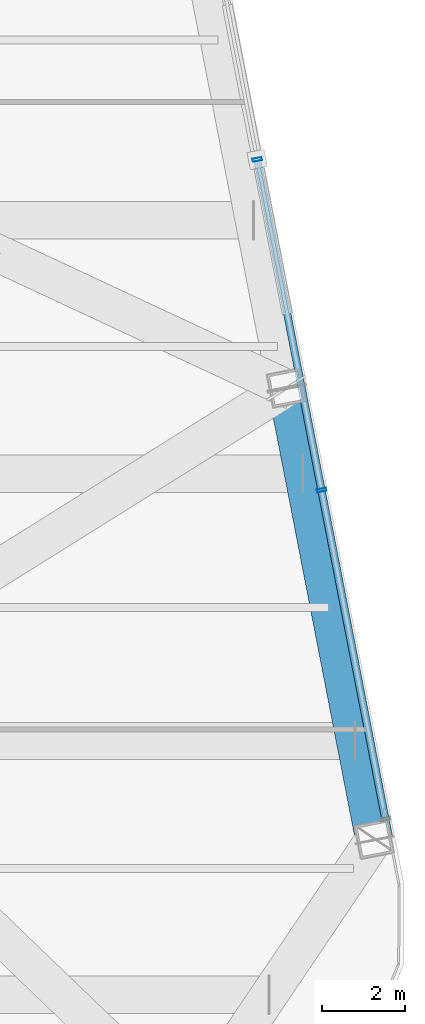
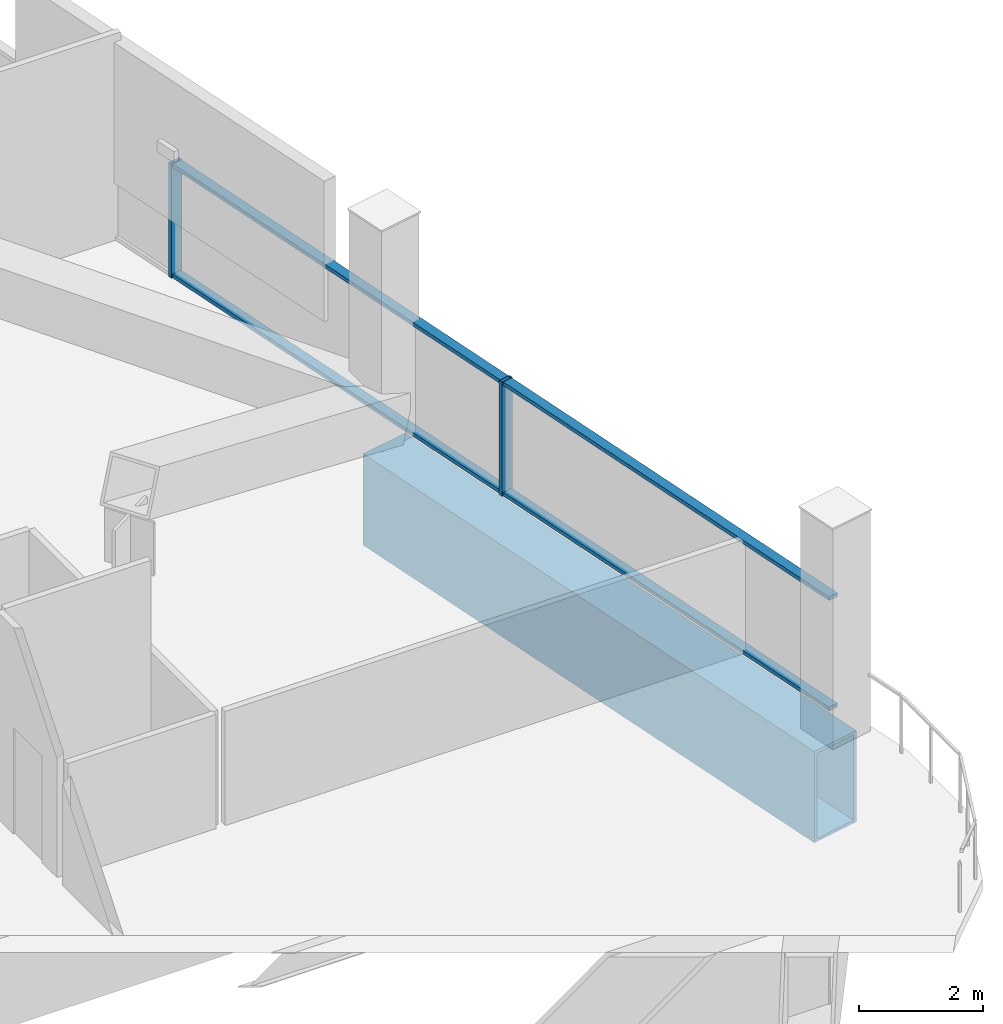
# One storey, part 10 of 26: 6 members, 1 beam, 1 element without a shape of its own.
"""IFC4 building model written with IfcOpenShell, lengths in metres."""

import ifcopenshell
import ifcopenshell.guid

model = None  # the IFC model being written
_history = None  # IfcOwnerHistory: only IFC2X3 demands one
_inside = {}  # id of a spatial element -> (the spatial element, [elements in it])
_under = {}  # id of a project, library or spatial element -> (it, [spatial elements below it])
_declared = {}  # id of a project -> (the project, [libraries it declares])
_typed = {}  # id of a type object -> (the type object, [elements of that type])
_made_of = {}  # id of a material, layer set ... -> (it, [elements and type objects made of it])


def new_model(schema):
    """Start an empty IFC model of exactly this schema.

    Asked for "IFC4X3", IfcOpenShell would pick the latest addendum, in which some entities
    have other attributes; the version numbers below select the first issue.
    IFC2X3 requires an IfcOwnerHistory on every rooted entity: one is made here for all.
    """
    global model, _history
    if schema == "IFC4X3":
        model = ifcopenshell.file(schema_version=(4, 3, 0, 0))
    else:
        model = ifcopenshell.file(schema=schema)
    _inside.clear()
    _under.clear()
    _declared.clear()
    _typed.clear()
    _made_of.clear()
    _history = None
    if model.schema == "IFC2X3":
        org = make("IfcOrganization", Name="unknown")
        user = make(
            "IfcPersonAndOrganization",
            ThePerson=make("IfcPerson", FamilyName="unknown"),
            TheOrganization=org,
        )
        app = make(
            "IfcApplication",
            ApplicationDeveloper=org,
            Version="unknown",
            ApplicationFullName="unknown",
            ApplicationIdentifier="unknown",
        )
        _history = make(
            "IfcOwnerHistory",
            OwningUser=user,
            OwningApplication=app,
            ChangeAction="ADDED",
            CreationDate=0,
        )
    return model


def make(cls, **values):
    """One entity of the class cls with the attributes given. An attribute that is None is left unset."""
    return model.create_entity(
        cls, **{name: value for name, value in values.items() if value is not None}
    )


def rooted(cls, **values):
    """An entity with a GlobalId (a new one), such as an element, a storey or a relation."""
    return make(cls, GlobalId=ifcopenshell.guid.new(), OwnerHistory=_history, **values)


def si_unit(unit_type, name, prefix=None):
    """IfcSIUnit, for example si_unit("LENGTHUNIT", "METRE", prefix="MILLI")."""
    return make("IfcSIUnit", UnitType=unit_type, Prefix=prefix, Name=name)


def assignment(units):
    """IfcUnitAssignment: the units of a project."""
    return None if units is None else make("IfcUnitAssignment", Units=units)


def point(xyz):
    """IfcCartesianPoint."""
    return None if xyz is None else make("IfcCartesianPoint", Coordinates=xyz)


def direction(xyz):
    """IfcDirection."""
    return None if xyz is None else make("IfcDirection", DirectionRatios=xyz)


def frame(location, z_axis=None, x_axis=None):
    """IfcAxis2Placement3D, a coordinate frame: its origin and axes. An axis left out is left unset."""
    return make(
        "IfcAxis2Placement3D",
        Location=point(location),
        Axis=direction(z_axis),
        RefDirection=direction(x_axis),
    )


def frame_2d(location, x_axis=None):
    """IfcAxis2Placement2D, a coordinate frame in the plane: its origin and x axis."""
    return make(
        "IfcAxis2Placement2D", Location=point(location), RefDirection=direction(x_axis)
    )


def origin():
    """The frame at (0, 0, 0) with its axes left unset."""
    return frame((0.0, 0.0, 0.0))


def origin_2d():
    """The frame at (0, 0) in the plane with its x axis left unset."""
    return frame_2d((0.0, 0.0))


def place(relative_to, where):
    """IfcLocalPlacement: puts the frame where relative to a parent placement (None: the world)."""
    return make(
        "IfcLocalPlacement", PlacementRelTo=relative_to, RelativePlacement=where
    )


def context(
    kind, dimensions, precision=None, world=None, true_north=None, identifier=None
):
    """IfcGeometricRepresentationContext, for example the 3D "Model" context."""
    return make(
        "IfcGeometricRepresentationContext",
        ContextIdentifier=identifier,
        ContextType=kind,
        CoordinateSpaceDimension=dimensions,
        Precision=precision,
        WorldCoordinateSystem=world,
        TrueNorth=true_north,
    )


def subcontext(parent, identifier, kind, view, scale=None):
    """IfcGeometricRepresentationSubContext, for example "Body" below "Model"."""
    return make(
        "IfcGeometricRepresentationSubContext",
        ContextIdentifier=identifier,
        ContextType=kind,
        ParentContext=parent,
        TargetScale=scale,
        TargetView=view,
    )


def project(units=None, contexts=None):
    """IfcProject with its units and contexts."""
    return rooted(
        "IfcProject",
        Name="project",
        RepresentationContexts=contexts,
        UnitsInContext=assignment(units),
    )


def spatial(cls, under=None, at=None, **own):
    """A site, building, storey or space (cls), placed at a placement, below another one or the project."""
    s = rooted(cls, ObjectPlacement=at, **own)
    if under is not None:
        _under.setdefault(under.id(), (under, []))[1].append(s)
    return s


def profile(cls, at=None, kind="AREA", **sizes):
    """A parametric profile (cls). Its sizes go by their IFC names, for example OverallWidth=200.0."""
    return make(cls, ProfileType=kind, Position=at, **sizes)


def hollow_rectangle(**sizes):
    """IfcRectangleHollowProfileDef."""
    return profile("IfcRectangleHollowProfileDef", **sizes)


def extrude(swept, where, along, depth):
    """IfcExtrudedAreaSolid: the profile swept, set in the frame where, extruded along a direction by depth."""
    return make(
        "IfcExtrudedAreaSolid",
        SweptArea=swept,
        Position=where,
        ExtrudedDirection=direction(along),
        Depth=depth,
    )


def shape(context_of_items, identifier, shape_type, items):
    """IfcShapeRepresentation: the items that make up one representation, for example the "Body"."""
    return make(
        "IfcShapeRepresentation",
        ContextOfItems=context_of_items,
        RepresentationIdentifier=identifier,
        RepresentationType=shape_type,
        Items=items,
    )


def material(Name=None, Category=None):
    """IfcMaterial."""
    return make("IfcMaterial", Name=Name, Category=Category)


def layer(
    of_material, thickness, ventilated=None, Name=None, Category=None, Priority=None
):
    """IfcMaterialLayer: one layer of a wall or slab, of a material (None: an air gap)."""
    return make(
        "IfcMaterialLayer",
        Material=of_material,
        LayerThickness=thickness,
        IsVentilated=ventilated,
        Name=Name,
        Category=Category,
        Priority=Priority,
    )


def layer_set(layers, Name=None):
    """IfcMaterialLayerSet."""
    return make("IfcMaterialLayerSet", MaterialLayers=layers, LayerSetName=Name)


def material_profile(
    of_material, cross_section, Name=None, Category=None, Priority=None
):
    """IfcMaterialProfile: a cross section and its material."""
    return make(
        "IfcMaterialProfile",
        Name=Name,
        Material=of_material,
        Profile=cross_section,
        Priority=Priority,
        Category=Category,
    )


def profile_set(profiles, Name=None, composite=None):
    """IfcMaterialProfileSet."""
    return make(
        "IfcMaterialProfileSet",
        Name=Name,
        MaterialProfiles=profiles,
        CompositeProfile=composite,
    )


def made_of(thing, what):
    """Note that an element or type object is made of a material, layer set ...; save() writes the relation."""
    if what is not None:
        _made_of.setdefault(what.id(), (what, []))[1].append(thing)
    return thing


def type_object(cls, material=None, **own):
    """A type object (cls), such as IfcWallType, which elements share."""
    return made_of(rooted(cls, **own), material)


def element(
    cls,
    number,
    at=None,
    inside=None,
    cuts=None,
    type_object=None,
    material=None,
    context=None,
    identifier="Body",
    shape_type=None,
    held_by="IfcProductDefinitionShape",
    body=None,
    shapes=None,
    **own,
):
    """One element of the class cls, such as IfcWall. Its Tag is "e" and its number.

    at: its placement. inside: the storey or other place that contains it. cuts: it is an
    opening in that element (IfcRelVoidsElement). A single representation is given by context,
    identifier, shape_type and body (its items); several are given by shapes. held_by: the class
    of the entity that holds the representations. save() writes the other relations.
    """
    e = rooted(cls, Tag="e%d" % number, ObjectPlacement=at, **own)
    if body is not None:
        shapes = [shape(context, identifier, shape_type, body)]
    if shapes is not None:
        e.Representation = make(held_by, Representations=shapes)
    if inside is not None:
        _inside.setdefault(inside.id(), (inside, []))[1].append(e)
    if cuts is not None:
        rooted(
            "IfcRelVoidsElement", RelatingBuildingElement=cuts, RelatedOpeningElement=e
        )
    if type_object is not None:
        _typed.setdefault(type_object.id(), (type_object, []))[1].append(e)
    return made_of(e, material)


def aggregate(whole, parts):
    """IfcRelAggregates: a whole, such as a stair, and the parts it consists of."""
    return rooted("IfcRelAggregates", RelatingObject=whole, RelatedObjects=parts)


def save(model, path):
    """Write the relations noted so far, then the file.

    IfcRelAggregates (storeys below a building ...), IfcRelContainedInSpatialStructure (elements
    in a storey), IfcRelDefinesByType, IfcRelAssociatesMaterial and IfcRelDeclares: one each for
    every whole, place, type object, material and project.
    """
    for whole, parts in _under.values():
        aggregate(whole, parts)
    for where, things in _inside.values():
        rooted(
            "IfcRelContainedInSpatialStructure",
            RelatedElements=things,
            RelatingStructure=where,
        )
    for kind, things in _typed.values():
        rooted("IfcRelDefinesByType", RelatedObjects=things, RelatingType=kind)
    for what, things in _made_of.values():
        rooted("IfcRelAssociatesMaterial", RelatedObjects=things, RelatingMaterial=what)
    for by, libraries in _declared.values():
        rooted("IfcRelDeclares", RelatingContext=by, RelatedDefinitions=libraries)
    model.write(path)


model = new_model("IFC4")

# Units and contexts
model_context = context("Model", 3, precision=1e-05, world=origin(), true_north=direction((0.0, 1.0)))
body_context = subcontext(model_context, "Body", "Model", "MODEL_VIEW")
ifc_project = project(units=[si_unit("LENGTHUNIT", "METRE"), si_unit("AREAUNIT", "SQUARE_METRE"), si_unit("VOLUMEUNIT", "CUBIC_METRE"), si_unit("PLANEANGLEUNIT", "RADIAN"), si_unit("MASSUNIT", "GRAM", prefix="KILO")], contexts=[model_context])

# Site, building, storey
site_placement = place(None, origin())
site = spatial("IfcSite", under=ifc_project, at=site_placement, CompositionType="ELEMENT")
building_placement = place(site_placement, origin())
building = spatial("IfcBuilding", under=site, at=building_placement, Name="Qhalaya Broadcast Tower", CompositionType="ELEMENT")
storey_placement = place(building_placement, frame((0.0, 0.0, 140.25)))
storey = spatial("IfcBuildingStorey", under=building, at=storey_placement, Name="L41", CompositionType="ELEMENT", Elevation=140.25)

# Beam
ifc_material_1 = material(Name="Structural Steel ASTM A572 Grade 50", Category="steel")
ifc_material_profile_1 = material_profile(ifc_material_1, hollow_rectangle(XDim=0.89990234375, YDim=1.800048828125, WallThickness=0.06005859375, at=origin_2d()), Name="BOX 900x1800x60")
ifc_profile_set_1 = profile_set([ifc_material_profile_1], Name="Structural Steel ASTM A572 Grade 50")
beam_type = type_object("IfcBeamType", Name="Block Cantilever Transfer Box Girder TG1", PredefinedType="USERDEFINED", material=ifc_profile_set_1)
beam_placement = place(storey_placement, frame((25.1162109375, -4.99951171875, -1.1201171875), z_axis=(-0.190804900759, 0.981627979352, 0.0), x_axis=(-0.981627979352, -0.190804900759, 0.0)))
element("IfcBeam", 1, at=beam_placement, inside=storey, type_object=beam_type, Name="L41 TG1 L41-SPR-05", ObjectType="GIRDER", PredefinedType="USERDEFINED", context=body_context, shape_type="SweptSolid", body=[
    extrude(hollow_rectangle(XDim=0.89990234375, YDim=1.800048828125, WallThickness=0.06005859375, at=origin_2d()), origin(), (0.0, 0.0, 1.0), 11.099853515625),
])

# Curtain wall, members
ifc_material_2 = material(Name="Fired Architectural Terracotta", Category="masonry")
ifc_layer = layer(ifc_material_2, 0.219970703125, Name="Fired Architectural Terracotta")
ifc_layer_set = layer_set([ifc_layer], Name="Fired Architectural Terracotta")
curtain_wall_type = type_object("IfcCurtainWallType", Name="Block-Cap Unitised Terracotta Spandrel Wall CW-07", PredefinedType="NOTDEFINED", material=ifc_layer_set)
curtain_wall_placement = place(storey_placement, origin())
curtain_wall = element("IfcCurtainWall", 2, at=curtain_wall_placement, inside=storey, type_object=curtain_wall_type, Name="L41 Unitised Curtain Wall L41-CW-E", PredefinedType="NOTDEFINED")
ifc_material_3 = material(Name="Anodised Aluminium 6063-T6", Category="aluminium")
ifc_material_profile_2 = material_profile(ifc_material_3, hollow_rectangle(XDim=0.074951171875, YDim=0.219970703125, WallThickness=0.00390625, at=origin_2d()), Name="ALU-MUL 75x220x4")
ifc_profile_set_2 = profile_set([ifc_material_profile_2], Name="Anodised Aluminium 6063-T6")
member_type_1 = type_object("IfcMemberType", Name="Unitised Curtain-Wall Mullion M01", PredefinedType="MULLION", material=ifc_profile_set_2)
member_1_placement = place(storey_placement, frame((22.292724609375, 11.413330078125, 0.0), z_axis=(0.0, 0.0, 1.0), x_axis=(0.190810076719, -0.981626973255, 0.0)))
member_1 = element("IfcMember", 3, at=member_1_placement, type_object=member_type_1, Name="CW-07 mullion 3", PredefinedType="MULLION", context=body_context, shape_type="SweptSolid", body=[
    extrude(hollow_rectangle(XDim=0.074951171875, YDim=0.219970703125, WallThickness=0.00390625, at=origin_2d()), origin(), (0.0, 0.0, 1.0), 2.25),
])
member_2_placement = place(storey_placement, frame((23.84423828125, 3.431640625, 0.0), z_axis=(0.0, 0.0, 1.0), x_axis=(0.190810076719, -0.981626973255, 0.0)))
member_2 = element("IfcMember", 4, at=member_2_placement, type_object=member_type_1, Name="CW-07 mullion 4", PredefinedType="MULLION", context=body_context, shape_type="SweptSolid", body=[
    extrude(hollow_rectangle(XDim=0.074951171875, YDim=0.219970703125, WallThickness=0.00390625, at=origin_2d()), origin(), (0.0, 0.0, 1.0), 2.25),
])
ifc_material_profile_3 = material_profile(ifc_material_3, hollow_rectangle(XDim=0.074951171875, YDim=0.179931640625, WallThickness=0.00390625, at=origin_2d()), Name="ALU-TRN 75x180x4")
ifc_profile_set_3 = profile_set([ifc_material_profile_3], Name="Anodised Aluminium 6063-T6")
member_type_2 = type_object("IfcMemberType", Name="Unitised Curtain-Wall Transom T01", PredefinedType="USERDEFINED", material=ifc_profile_set_3)
member_3_placement = place(storey_placement, frame((22.2998046875, 11.37646484375, 0.03759765625), z_axis=(0.190833157289, -0.981622486539, 0.0), x_axis=(0.0, 0.0, 1.0)))
member_3 = element("IfcMember", 5, at=member_3_placement, type_object=member_type_2, Name="CW-07 transom 3.1", ObjectType="TRANSOM", PredefinedType="USERDEFINED", context=body_context, shape_type="SweptSolid", body=[
    extrude(hollow_rectangle(XDim=0.074951171875, YDim=0.179931640625, WallThickness=0.00390625, at=origin_2d()), origin(), (0.0, 0.0, 1.0), 8.055908203125),
])
member_4_placement = place(storey_placement, frame((22.2998046875, 11.37646484375, 2.21240234375), z_axis=(0.190833157289, -0.981622486539, 0.0), x_axis=(0.0, 0.0, 1.0)))
member_4 = element("IfcMember", 6, at=member_4_placement, type_object=member_type_2, Name="CW-07 transom 3.2", ObjectType="TRANSOM", PredefinedType="USERDEFINED", context=body_context, shape_type="SweptSolid", body=[
    extrude(hollow_rectangle(XDim=0.074951171875, YDim=0.179931640625, WallThickness=0.00390625, at=origin_2d()), origin(), (0.0, 0.0, 1.0), 8.055908203125),
])
member_5_placement = place(storey_placement, frame((23.851318359375, 3.394775390625, 0.03759765625), z_axis=(0.190814242154, -0.981626163563, 0.0), x_axis=(0.0, 0.0, 1.0)))
member_5 = element("IfcMember", 7, at=member_5_placement, type_object=member_type_2, Name="CW-07 transom 4.1", ObjectType="TRANSOM", PredefinedType="USERDEFINED", context=body_context, shape_type="SweptSolid", body=[
    extrude(hollow_rectangle(XDim=0.074951171875, YDim=0.179931640625, WallThickness=0.00390625, at=origin_2d()), origin(), (0.0, 0.0, 1.0), 8.018310546875),
])
member_6_placement = place(storey_placement, frame((23.851318359375, 3.394775390625, 2.21240234375), z_axis=(0.190814242154, -0.981626163563, 0.0), x_axis=(0.0, 0.0, 1.0)))
member_6 = element("IfcMember", 8, at=member_6_placement, type_object=member_type_2, Name="CW-07 transom 4.2", ObjectType="TRANSOM", PredefinedType="USERDEFINED", context=body_context, shape_type="SweptSolid", body=[
    extrude(hollow_rectangle(XDim=0.074951171875, YDim=0.179931640625, WallThickness=0.00390625, at=origin_2d()), origin(), (0.0, 0.0, 1.0), 8.018310546875),
])
aggregate(curtain_wall, [member_1, member_2, member_3, member_4, member_5, member_6])

save(model, "model.ifc")
